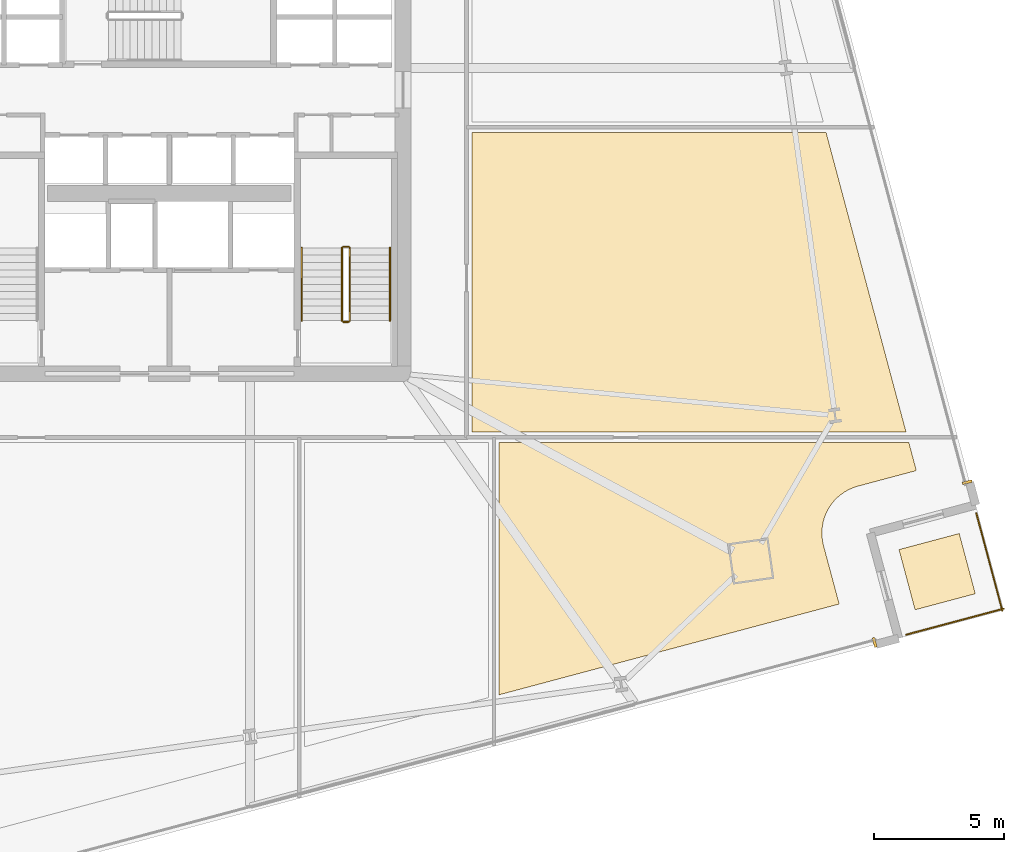
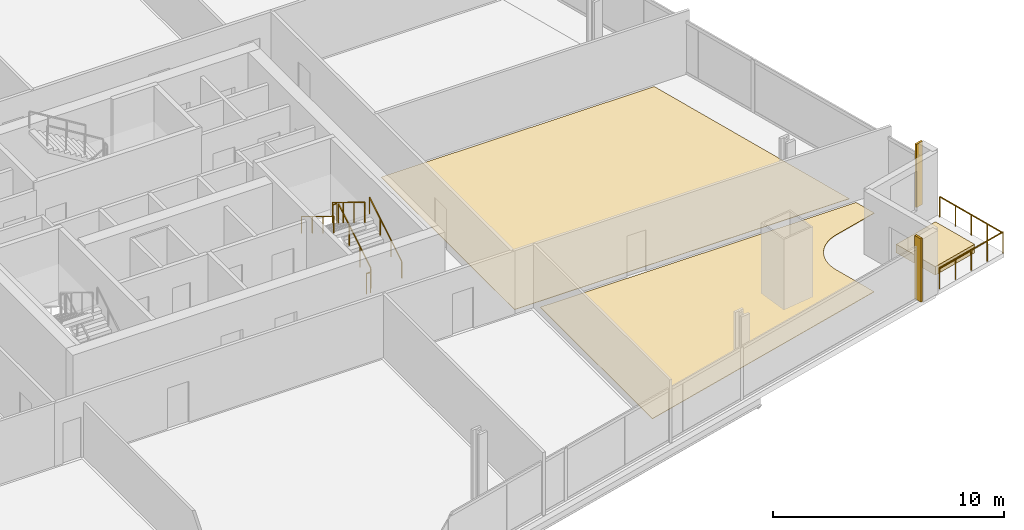
# One storey, part 31 of 33: 8 railings, 5 coverings.
"""IFC4 building model written with IfcOpenShell, lengths in metres."""

import ifcopenshell
import ifcopenshell.guid

model = None  # the IFC model being written
_history = None  # IfcOwnerHistory: only IFC2X3 demands one
_inside = {}  # id of a spatial element -> (the spatial element, [elements in it])
_under = {}  # id of a project, library or spatial element -> (it, [spatial elements below it])
_declared = {}  # id of a project -> (the project, [libraries it declares])
_typed = {}  # id of a type object -> (the type object, [elements of that type])
_made_of = {}  # id of a material, layer set ... -> (it, [elements and type objects made of it])


def new_model(schema):
    """Start an empty IFC model of exactly this schema.

    Asked for "IFC4X3", IfcOpenShell would pick the latest addendum, in which some entities
    have other attributes; the version numbers below select the first issue.
    IFC2X3 requires an IfcOwnerHistory on every rooted entity: one is made here for all.
    """
    global model, _history
    if schema == "IFC4X3":
        model = ifcopenshell.file(schema_version=(4, 3, 0, 0))
    else:
        model = ifcopenshell.file(schema=schema)
    _inside.clear()
    _under.clear()
    _declared.clear()
    _typed.clear()
    _made_of.clear()
    _history = None
    if model.schema == "IFC2X3":
        org = make("IfcOrganization", Name="unknown")
        user = make(
            "IfcPersonAndOrganization",
            ThePerson=make("IfcPerson", FamilyName="unknown"),
            TheOrganization=org,
        )
        app = make(
            "IfcApplication",
            ApplicationDeveloper=org,
            Version="unknown",
            ApplicationFullName="unknown",
            ApplicationIdentifier="unknown",
        )
        _history = make(
            "IfcOwnerHistory",
            OwningUser=user,
            OwningApplication=app,
            ChangeAction="ADDED",
            CreationDate=0,
        )
    return model


def make(cls, **values):
    """One entity of the class cls with the attributes given. An attribute that is None is left unset."""
    return model.create_entity(
        cls, **{name: value for name, value in values.items() if value is not None}
    )


def rooted(cls, **values):
    """An entity with a GlobalId (a new one), such as an element, a storey or a relation."""
    return make(cls, GlobalId=ifcopenshell.guid.new(), OwnerHistory=_history, **values)


def si_unit(unit_type, name, prefix=None):
    """IfcSIUnit, for example si_unit("LENGTHUNIT", "METRE", prefix="MILLI")."""
    return make("IfcSIUnit", UnitType=unit_type, Prefix=prefix, Name=name)


def assignment(units):
    """IfcUnitAssignment: the units of a project."""
    return None if units is None else make("IfcUnitAssignment", Units=units)


def point(xyz):
    """IfcCartesianPoint."""
    return None if xyz is None else make("IfcCartesianPoint", Coordinates=xyz)


def direction(xyz):
    """IfcDirection."""
    return None if xyz is None else make("IfcDirection", DirectionRatios=xyz)


def frame(location, z_axis=None, x_axis=None):
    """IfcAxis2Placement3D, a coordinate frame: its origin and axes. An axis left out is left unset."""
    return make(
        "IfcAxis2Placement3D",
        Location=point(location),
        Axis=direction(z_axis),
        RefDirection=direction(x_axis),
    )


def frame_2d(location, x_axis=None):
    """IfcAxis2Placement2D, a coordinate frame in the plane: its origin and x axis."""
    return make(
        "IfcAxis2Placement2D", Location=point(location), RefDirection=direction(x_axis)
    )


def origin():
    """The frame at (0, 0, 0) with its axes left unset."""
    return frame((0.0, 0.0, 0.0))


def origin_2d():
    """The frame at (0, 0) in the plane with its x axis left unset."""
    return frame_2d((0.0, 0.0))


def place(relative_to, where):
    """IfcLocalPlacement: puts the frame where relative to a parent placement (None: the world)."""
    return make(
        "IfcLocalPlacement", PlacementRelTo=relative_to, RelativePlacement=where
    )


def context(
    kind, dimensions, precision=None, world=None, true_north=None, identifier=None
):
    """IfcGeometricRepresentationContext, for example the 3D "Model" context."""
    return make(
        "IfcGeometricRepresentationContext",
        ContextIdentifier=identifier,
        ContextType=kind,
        CoordinateSpaceDimension=dimensions,
        Precision=precision,
        WorldCoordinateSystem=world,
        TrueNorth=true_north,
    )


def subcontext(parent, identifier, kind, view, scale=None):
    """IfcGeometricRepresentationSubContext, for example "Body" below "Model"."""
    return make(
        "IfcGeometricRepresentationSubContext",
        ContextIdentifier=identifier,
        ContextType=kind,
        ParentContext=parent,
        TargetScale=scale,
        TargetView=view,
    )


def project(units=None, contexts=None):
    """IfcProject with its units and contexts."""
    return rooted(
        "IfcProject",
        Name="project",
        RepresentationContexts=contexts,
        UnitsInContext=assignment(units),
    )


def spatial(cls, under=None, at=None, **own):
    """A site, building, storey or space (cls), placed at a placement, below another one or the project."""
    s = rooted(cls, ObjectPlacement=at, **own)
    if under is not None:
        _under.setdefault(under.id(), (under, []))[1].append(s)
    return s


def polyline(points):
    """IfcPolyline through the points."""
    return make("IfcPolyline", Points=[point(p) for p in points])


def profile(cls, at=None, kind="AREA", **sizes):
    """A parametric profile (cls). Its sizes go by their IFC names, for example OverallWidth=200.0."""
    return make(cls, ProfileType=kind, Position=at, **sizes)


def rectangle(**sizes):
    """IfcRectangleProfileDef."""
    return profile("IfcRectangleProfileDef", **sizes)


def outline(outer, holes=None, kind="AREA"):
    """IfcArbitraryClosedProfileDef: a profile drawn as a closed curve; with holes, ...WithVoids."""
    if holes is None:
        return make("IfcArbitraryClosedProfileDef", ProfileType=kind, OuterCurve=outer)
    return make(
        "IfcArbitraryProfileDefWithVoids",
        ProfileType=kind,
        OuterCurve=outer,
        InnerCurves=holes,
    )


def extrude(swept, where, along, depth):
    """IfcExtrudedAreaSolid: the profile swept, set in the frame where, extruded along a direction by depth."""
    return make(
        "IfcExtrudedAreaSolid",
        SweptArea=swept,
        Position=where,
        ExtrudedDirection=direction(along),
        Depth=depth,
    )


def shape(context_of_items, identifier, shape_type, items):
    """IfcShapeRepresentation: the items that make up one representation, for example the "Body"."""
    return make(
        "IfcShapeRepresentation",
        ContextOfItems=context_of_items,
        RepresentationIdentifier=identifier,
        RepresentationType=shape_type,
        Items=items,
    )


def source(mapping_origin, context_of_items, identifier, shape_type, items):
    """IfcRepresentationMap: a shape defined once, which mapped items show again and again."""
    return make(
        "IfcRepresentationMap",
        MappingOrigin=mapping_origin,
        MappedRepresentation=shape(context_of_items, identifier, shape_type, items),
    )


def transform(
    local_origin,
    x_axis=None,
    y_axis=None,
    z_axis=None,
    scale=None,
    scale2=None,
    scale3=None,
    uniform=True,
):
    """IfcCartesianTransformationOperator3D, or its non-uniform kind. x_axis, y_axis, z_axis: its Axis1, 2, 3."""
    if uniform:
        return make(
            "IfcCartesianTransformationOperator3D",
            Axis1=direction(x_axis),
            Axis2=direction(y_axis),
            LocalOrigin=point(local_origin),
            Scale=scale,
            Axis3=direction(z_axis),
        )
    return make(
        "IfcCartesianTransformationOperator3DnonUniform",
        Axis1=direction(x_axis),
        Axis2=direction(y_axis),
        LocalOrigin=point(local_origin),
        Scale=scale,
        Axis3=direction(z_axis),
        Scale2=scale2,
        Scale3=scale3,
    )


def mapped(mapping_source, mapping_target):
    """IfcMappedItem: shows the shape of a source again, moved by a transform."""
    return make(
        "IfcMappedItem", MappingSource=mapping_source, MappingTarget=mapping_target
    )


def material(Name=None, Category=None):
    """IfcMaterial."""
    return make("IfcMaterial", Name=Name, Category=Category)


def layer(
    of_material, thickness, ventilated=None, Name=None, Category=None, Priority=None
):
    """IfcMaterialLayer: one layer of a wall or slab, of a material (None: an air gap)."""
    return make(
        "IfcMaterialLayer",
        Material=of_material,
        LayerThickness=thickness,
        IsVentilated=ventilated,
        Name=Name,
        Category=Category,
        Priority=Priority,
    )


def layer_set(layers, Name=None):
    """IfcMaterialLayerSet."""
    return make("IfcMaterialLayerSet", MaterialLayers=layers, LayerSetName=Name)


def made_of(thing, what):
    """Note that an element or type object is made of a material, layer set ...; save() writes the relation."""
    if what is not None:
        _made_of.setdefault(what.id(), (what, []))[1].append(thing)
    return thing


def type_object(cls, material=None, **own):
    """A type object (cls), such as IfcWallType, which elements share."""
    return made_of(rooted(cls, **own), material)


def element(
    cls,
    number,
    at=None,
    inside=None,
    cuts=None,
    type_object=None,
    material=None,
    context=None,
    identifier="Body",
    shape_type=None,
    held_by="IfcProductDefinitionShape",
    body=None,
    shapes=None,
    **own,
):
    """One element of the class cls, such as IfcWall. Its Tag is "e" and its number.

    at: its placement. inside: the storey or other place that contains it. cuts: it is an
    opening in that element (IfcRelVoidsElement). A single representation is given by context,
    identifier, shape_type and body (its items); several are given by shapes. held_by: the class
    of the entity that holds the representations. save() writes the other relations.
    """
    e = rooted(cls, Tag="e%d" % number, ObjectPlacement=at, **own)
    if body is not None:
        shapes = [shape(context, identifier, shape_type, body)]
    if shapes is not None:
        e.Representation = make(held_by, Representations=shapes)
    if inside is not None:
        _inside.setdefault(inside.id(), (inside, []))[1].append(e)
    if cuts is not None:
        rooted(
            "IfcRelVoidsElement", RelatingBuildingElement=cuts, RelatedOpeningElement=e
        )
    if type_object is not None:
        _typed.setdefault(type_object.id(), (type_object, []))[1].append(e)
    return made_of(e, material)


def aggregate(whole, parts):
    """IfcRelAggregates: a whole, such as a stair, and the parts it consists of."""
    return rooted("IfcRelAggregates", RelatingObject=whole, RelatedObjects=parts)


def save(model, path):
    """Write the relations noted so far, then the file.

    IfcRelAggregates (storeys below a building ...), IfcRelContainedInSpatialStructure (elements
    in a storey), IfcRelDefinesByType, IfcRelAssociatesMaterial and IfcRelDeclares: one each for
    every whole, place, type object, material and project.
    """
    for whole, parts in _under.values():
        aggregate(whole, parts)
    for where, things in _inside.values():
        rooted(
            "IfcRelContainedInSpatialStructure",
            RelatedElements=things,
            RelatingStructure=where,
        )
    for kind, things in _typed.values():
        rooted("IfcRelDefinesByType", RelatedObjects=things, RelatingType=kind)
    for what, things in _made_of.values():
        rooted("IfcRelAssociatesMaterial", RelatedObjects=things, RelatingMaterial=what)
    for by, libraries in _declared.values():
        rooted("IfcRelDeclares", RelatingContext=by, RelatedDefinitions=libraries)
    model.write(path)


model = new_model("IFC4")

# Units and contexts
model_context = context("Model", 3, precision=1e-05, world=origin(), true_north=direction((0.0, 1.0)))
body_context = subcontext(model_context, "Body", "Model", "MODEL_VIEW")
ifc_project = project(units=[si_unit("LENGTHUNIT", "METRE"), si_unit("AREAUNIT", "SQUARE_METRE"), si_unit("VOLUMEUNIT", "CUBIC_METRE"), si_unit("PLANEANGLEUNIT", "RADIAN"), si_unit("MASSUNIT", "GRAM", prefix="KILO")], contexts=[model_context])

# Site, building, storey
site_placement = place(None, origin())
site = spatial("IfcSite", under=ifc_project, at=site_placement, CompositionType="ELEMENT")
building_placement = place(site_placement, origin())
building = spatial("IfcBuilding", under=site, at=building_placement, Name="Haldenkirk Collegiate Tower", CompositionType="ELEMENT")
storey_placement = place(building_placement, frame((0.0, 0.0, 77.699951171875)))
storey = spatial("IfcBuildingStorey", under=building, at=storey_placement, Name="L18", CompositionType="ELEMENT", Elevation=77.699951171875)

# Coverings
ifc_material_1 = material(Name="Polished collegiate terrazzo", Category="concrete")
ifc_layer_1 = layer(ifc_material_1, 0.02490234375)
ifc_layer_set_1 = layer_set([ifc_layer_1], Name="Polished collegiate terrazzo")
covering_type_1 = type_object("IfcCoveringType", Name="COV-FLOOR-TERRAZZO", PredefinedType="FLOORING", material=ifc_layer_set_1)
covering_1_placement = place(storey_placement, origin())
element("IfcCovering", 1, at=covering_1_placement, inside=storey, type_object=covering_type_1, Name="L18 academic room finish 04", PredefinedType="FLOORING", context=body_context, shape_type="SweptSolid", body=[
    extrude(outline(polyline([(64.779541015625, 14.2724609375), (62.5283203125, 13.67138671875), (62.522705078125, 13.669921875), (62.359375, 13.617431640625), (62.34814453125, 13.61328125), (62.190673828125, 13.544921875), (62.18017578125, 13.539794921875), (62.02978515625, 13.45654296875), (62.02001953125, 13.4501953125), (61.878662109375, 13.352783203125), (61.869384765625, 13.345703125), (61.73828125, 13.234619140625), (61.7294921875, 13.2265625), (61.610107421875, 13.103271484375), (61.602294921875, 13.094482421875), (61.495361328125, 12.9599609375), (61.488525390625, 12.950439453125), (61.395263671875, 12.80615234375), (61.389404296875, 12.7958984375), (61.310791015625, 12.643310546875), (61.305908203125, 12.632568359375), (61.24267578125, 12.472900390625), (61.239013671875, 12.461669921875), (61.191650390625, 12.296630859375), (61.18896484375, 12.28515625), (61.158203125, 12.1162109375), (61.156494140625, 12.1044921875), (61.142333984375, 11.933349609375), (61.141845703125, 11.921630859375), (61.14453125, 11.75), (61.145263671875, 11.73828125), (61.164794921875, 11.5673828125), (61.166748046875, 11.555908203125), (61.202880859375, 11.387939453125), (61.2041015625, 11.382080078125), (61.805419921875, 9.131103515625), (48.699951171875, 5.6318359375), (48.699951171875, 15.35009765625), (64.49169921875, 15.35009765625), (64.779541015625, 14.2724609375)])), origin(), (0.0, 0.0, 1.0), 0.025146484375),
])
ifc_material_2 = material(Name="Engineered collegiate oak acoustic flooring", Category="wood")
ifc_layer_2 = layer(ifc_material_2, 0.02197265625)
ifc_layer_set_2 = layer_set([ifc_layer_2], Name="Engineered collegiate oak acoustic flooring")
covering_type_2 = type_object("IfcCoveringType", Name="COV-FLOOR-TIMBER", PredefinedType="FLOORING", material=ifc_layer_set_2)
covering_2_placement = place(storey_placement, origin())
element("IfcCovering", 2, at=covering_2_placement, inside=storey, type_object=covering_type_2, Name="L18 academic room finish 11", PredefinedType="FLOORING", context=body_context, shape_type="SweptSolid", body=[
    extrude(outline(polyline([(64.385009765625, 15.75), (47.64990234375, 15.75), (47.64990234375, 27.300048828125), (61.301025390625, 27.300048828125), (64.385009765625, 15.75)])), origin(), (0.0, 0.0, 1.0), 0.02197265625),
])
ifc_material_3 = material(Name="Precast concrete f'c 40 MPa", Category="concrete")
ifc_layer_3 = layer(ifc_material_3, 0.449951171875)
ifc_layer_set_3 = layer_set([ifc_layer_3], Name="Precast concrete f'c 40 MPa")
covering_type_3 = type_object("IfcCoveringType", Name="COV-PLANTER-450", PredefinedType="USERDEFINED", material=ifc_layer_set_3)
covering_3_placement = place(storey_placement, origin())
element("IfcCovering", 3, at=covering_3_placement, inside=storey, type_object=covering_type_3, Name="L18 planted garden planter bed", ObjectType="PLANTER", PredefinedType="USERDEFINED", context=body_context, shape_type="SweptSolid", body=[
    extrude(outline(polyline([(64.731689453125, 8.90869140625), (64.112548828125, 11.227294921875), (66.431396484375, 11.846435546875), (67.050537109375, 9.52783203125), (64.731689453125, 8.90869140625)])), origin(), (0.0, 0.0, 1.0), 0.449951171875),
])

# Railings
ifc_material_4 = material(Name="Painted architectural tubular steel", Category="steel")
railing_type_1 = type_object("IfcRailingType", Name="RLG-STAIR-GUARD-1100", PredefinedType="BALUSTRADE", material=ifc_material_4)
railing_1_placement = place(storey_placement, frame((42.949951171875, 20.050048828125, 0.17041015625)))
element("IfcRailing", 4, at=railing_1_placement, inside=storey, type_object=railing_type_1, Name="L18 ST-2 stair guard 1", PredefinedType="BALUSTRADE", context=body_context, shape_type="SweptSolid", body=[
    extrude(rectangle(XDim=0.048095703125, YDim=0.048095703125, at=origin_2d()), frame((0.0, 0.0, 1.076171875), z_axis=(0.0, 0.854169791009, 0.51999420009), x_axis=(-1.0, 0.0, 0.0)), (0.0, 0.0, 1.0), 3.278076171875),
    extrude(rectangle(XDim=0.0419921875, YDim=0.0419921875, at=origin_2d()), origin(), (0.0, 0.0, 1.0), 1.052001953125),
    extrude(rectangle(XDim=0.0419921875, YDim=0.0419921875, at=origin_2d()), frame((0.0, 0.933349609375, 0.568115234375)), (0.0, 0.0, 1.0), 1.052001953125),
    extrude(rectangle(XDim=0.0419921875, YDim=0.0419921875, at=origin_2d()), frame((0.0, 1.86669921875, 1.136474609375)), (0.0, 0.0, 1.0), 1.052001953125),
    extrude(rectangle(XDim=0.0419921875, YDim=0.0419921875, at=origin_2d()), frame((0.0, 2.800048828125, 1.70458984375)), (0.0, 0.0, 1.0), 1.052001953125),
])
railing_2_placement = place(storey_placement, frame((42.89990234375, 22.89990234375, 1.875)))
element("IfcRailing", 5, at=railing_2_placement, inside=storey, type_object=railing_type_1, Name="L18 ST-2 stair guard 2", PredefinedType="BALUSTRADE", context=body_context, shape_type="SweptSolid", body=[
    extrude(rectangle(XDim=0.048095703125, YDim=0.048095703125, at=origin_2d()), frame((0.0, 0.0, 1.076171875), z_axis=(-1.0, 0.0, 0.0), x_axis=(0.0, -1.0, 0.0)), (0.0, 0.0, 1.0), 0.199951171875),
    extrude(rectangle(XDim=0.0419921875, YDim=0.0419921875, at=origin_2d()), origin(), (0.0, 0.0, 1.0), 1.052001953125),
    extrude(rectangle(XDim=0.0419921875, YDim=0.0419921875, at=origin_2d()), frame((-0.199951171875, 0.0, 0.0)), (0.0, 0.0, 1.0), 1.052001953125),
])
railing_3_placement = place(storey_placement, frame((42.64990234375, 22.85009765625, 2.04541015625)))
element("IfcRailing", 6, at=railing_3_placement, inside=storey, type_object=railing_type_1, Name="L18 ST-2 stair guard 3", PredefinedType="BALUSTRADE", context=body_context, shape_type="SweptSolid", body=[
    extrude(rectangle(XDim=0.048095703125, YDim=0.048095703125, at=origin_2d()), frame((0.0, 0.0, 1.076171875), z_axis=(0.0, -0.854169791009, 0.51999420009), x_axis=(1.0, 0.0, 0.0)), (0.0, 0.0, 1.0), 3.278076171875),
    extrude(rectangle(XDim=0.0419921875, YDim=0.0419921875, at=origin_2d()), origin(), (0.0, 0.0, 1.0), 1.052001953125),
    extrude(rectangle(XDim=0.0419921875, YDim=0.0419921875, at=origin_2d()), frame((0.0, -0.933349609375, 0.568115234375)), (0.0, 0.0, 1.0), 1.052001953125),
    extrude(rectangle(XDim=0.0419921875, YDim=0.0419921875, at=origin_2d()), frame((0.0, -1.86669921875, 1.136474609375)), (0.0, 0.0, 1.0), 1.052001953125),
    extrude(rectangle(XDim=0.0419921875, YDim=0.0419921875, at=origin_2d()), frame((0.0, -2.800048828125, 1.70458984375)), (0.0, 0.0, 1.0), 1.052001953125),
])
railing_4_placement = place(storey_placement, frame((42.89990234375, 20.0, 0.0)))
element("IfcRailing", 7, at=railing_4_placement, inside=storey, type_object=railing_type_1, Name="L18 ST-2 stair guard 4", PredefinedType="BALUSTRADE", context=body_context, shape_type="SweptSolid", body=[
    extrude(rectangle(XDim=0.048095703125, YDim=0.048095703125, at=origin_2d()), frame((0.0, 0.0, 1.076171875), z_axis=(-1.0, 0.0, 0.0), x_axis=(0.0, -1.0, 0.0)), (0.0, 0.0, 1.0), 0.199951171875),
    extrude(rectangle(XDim=0.0419921875, YDim=0.0419921875, at=origin_2d()), origin(), (0.0, 0.0, 1.0), 1.052001953125),
    extrude(rectangle(XDim=0.0419921875, YDim=0.0419921875, at=origin_2d()), frame((-0.199951171875, 0.0, 0.0)), (0.0, 0.0, 1.0), 1.052001953125),
])
railing_type_2 = type_object("IfcRailingType", Name="RLG-STAIR-HANDRAIL-900", PredefinedType="HANDRAIL", material=ifc_material_4)
railing_5_placement = place(storey_placement, frame((44.5, 20.050048828125, 0.17041015625)))
element("IfcRailing", 8, at=railing_5_placement, inside=storey, type_object=railing_type_2, Name="L18 ST-2 stair handrail 1", PredefinedType="HANDRAIL", context=body_context, shape_type="SweptSolid", body=[
    extrude(rectangle(XDim=0.048095703125, YDim=0.048095703125, at=origin_2d()), frame((0.0, 0.0, 0.8759765625), z_axis=(0.0, 0.854169791009, 0.51999420009), x_axis=(-1.0, 0.0, 0.0)), (0.0, 0.0, 1.0), 3.278076171875),
    extrude(rectangle(XDim=0.0419921875, YDim=0.0419921875, at=origin_2d()), origin(), (0.0, 0.0, 1.0), 0.851806640625),
    extrude(rectangle(XDim=0.0419921875, YDim=0.0419921875, at=origin_2d()), frame((0.0, 0.933349609375, 0.568115234375)), (0.0, 0.0, 1.0), 0.851806640625),
    extrude(rectangle(XDim=0.0419921875, YDim=0.0419921875, at=origin_2d()), frame((0.0, 1.86669921875, 1.136474609375)), (0.0, 0.0, 1.0), 0.851806640625),
    extrude(rectangle(XDim=0.0419921875, YDim=0.0419921875, at=origin_2d()), frame((0.0, 2.800048828125, 1.70458984375)), (0.0, 0.0, 1.0), 0.851806640625),
])
railing_6_placement = place(storey_placement, frame((41.10009765625, 22.85009765625, 2.04541015625)))
element("IfcRailing", 9, at=railing_6_placement, inside=storey, type_object=railing_type_2, Name="L18 ST-2 stair handrail 2", PredefinedType="HANDRAIL", context=body_context, shape_type="SweptSolid", body=[
    extrude(rectangle(XDim=0.048095703125, YDim=0.048095703125, at=origin_2d()), frame((0.0, 0.0, 0.8759765625), z_axis=(0.0, -0.854169791009, 0.51999420009), x_axis=(1.0, 0.0, 0.0)), (0.0, 0.0, 1.0), 3.278076171875),
    extrude(rectangle(XDim=0.0419921875, YDim=0.0419921875, at=origin_2d()), origin(), (0.0, 0.0, 1.0), 0.851806640625),
    extrude(rectangle(XDim=0.0419921875, YDim=0.0419921875, at=origin_2d()), frame((0.0, -0.933349609375, 0.568115234375)), (0.0, 0.0, 1.0), 0.851806640625),
    extrude(rectangle(XDim=0.0419921875, YDim=0.0419921875, at=origin_2d()), frame((0.0, -1.86669921875, 1.136474609375)), (0.0, 0.0, 1.0), 0.851806640625),
    extrude(rectangle(XDim=0.0419921875, YDim=0.0419921875, at=origin_2d()), frame((0.0, -2.800048828125, 1.70458984375)), (0.0, 0.0, 1.0), 0.851806640625),
])
ifc_material_5 = material(Name="Anodised architectural bronze aluminium", Category="aluminium")
railing_type_3 = type_object("IfcRailingType", Name="RLG-TERR-BALUSTRADE-1100", PredefinedType="BALUSTRADE", material=ifc_material_5)
railing_7_placement = place(storey_placement, frame((64.38818359375, 7.947509765625, 0.0)))
element("IfcRailing", 10, at=railing_7_placement, inside=storey, type_object=railing_type_3, Name="L18 terrace guard balustrade 1-1", PredefinedType="BALUSTRADE", context=body_context, shape_type="SweptSolid", body=[
    extrude(rectangle(XDim=0.048095703125, YDim=0.048095703125, at=origin_2d()), frame((0.0, 0.0, 1.076171875), z_axis=(0.966147154433, 0.25799161998, 0.0), x_axis=(-0.25799161998, 0.966147154433, 0.0)), (0.0, 0.0, 1.0), 3.8798828125),
    extrude(rectangle(XDim=0.0419921875, YDim=0.0419921875, at=origin_2d()), origin(), (0.0, 0.0, 1.0), 1.052001953125),
    extrude(rectangle(XDim=0.0419921875, YDim=0.0419921875, at=origin_2d()), frame((0.93701171875, 0.250244140625, 0.0)), (0.0, 0.0, 1.0), 1.052001953125),
    extrude(rectangle(XDim=0.0419921875, YDim=0.0419921875, at=origin_2d()), frame((1.874267578125, 0.50048828125, 0.0)), (0.0, 0.0, 1.0), 1.052001953125),
    extrude(rectangle(XDim=0.0419921875, YDim=0.0419921875, at=origin_2d()), frame((2.8115234375, 0.750732421875, 0.0)), (0.0, 0.0, 1.0), 1.052001953125),
    extrude(rectangle(XDim=0.0419921875, YDim=0.0419921875, at=origin_2d()), frame((3.74853515625, 1.0009765625, 0.0)), (0.0, 0.0, 1.0), 1.052001953125),
])
railing_8_placement = place(storey_placement, frame((68.09423828125, 8.875, 0.0)))
element("IfcRailing", 11, at=railing_8_placement, inside=storey, type_object=railing_type_3, Name="L18 terrace guard balustrade 2-1", PredefinedType="BALUSTRADE", context=body_context, shape_type="SweptSolid", body=[
    extrude(rectangle(XDim=0.048095703125, YDim=0.048095703125, at=origin_2d()), frame((0.0, 0.0, 1.076171875), z_axis=(-0.25799161998, 0.966147154433, 0.0), x_axis=(-0.966147154433, -0.25799161998, 0.0)), (0.0, 0.0, 1.0), 3.8798828125),
    extrude(rectangle(XDim=0.0419921875, YDim=0.0419921875, at=origin_2d()), origin(), (0.0, 0.0, 1.0), 1.052001953125),
    extrude(rectangle(XDim=0.0419921875, YDim=0.0419921875, at=origin_2d()), frame((-0.250244140625, 0.93701171875, 0.0)), (0.0, 0.0, 1.0), 1.052001953125),
    extrude(rectangle(XDim=0.0419921875, YDim=0.0419921875, at=origin_2d()), frame((-0.50048828125, 1.874267578125, 0.0)), (0.0, 0.0, 1.0), 1.052001953125),
    extrude(rectangle(XDim=0.0419921875, YDim=0.0419921875, at=origin_2d()), frame((-0.750732421875, 2.8115234375, 0.0)), (0.0, 0.0, 1.0), 1.052001953125),
    extrude(rectangle(XDim=0.0419921875, YDim=0.0419921875, at=origin_2d()), frame((-1.0009765625, 3.74853515625, 0.0)), (0.0, 0.0, 1.0), 1.052001953125),
])

# Coverings
ifc_layer_4 = layer(ifc_material_5, 0.06005859375)
ifc_layer_set_4 = layer_set([ifc_layer_4], Name="Anodised architectural bronze aluminium")
covering_type_4 = type_object("IfcCoveringType", Name="COV-CLAD-BRONZE-60", PredefinedType="CLADDING", material=ifc_layer_set_4)
shared_shape = source(origin(), body_context, "Body", "SweptSolid", [
    extrude(rectangle(XDim=0.10009765625, YDim=0.3798828125, at=origin_2d()), origin(), (0.0, 0.0, 1.0), 3.340087890625),
])
for number, where, z_axis, x_axis, name in (
    (12, (63.172607421875, 7.65380859375, 0.0), (0.0, 0.0, 1.0), (-0.966151320688, -0.257976017359, 0.0), "L18 recessed curtain-wall bronze jamb closure SJL"),
    (13, (66.74169921875, 13.823486328125, 0.0), (0.0, 0.0, 1.0), (0.257976017359, -0.966151320688, 0.0), "L18 recessed curtain-wall bronze jamb closure EJR"),
):
    element("IfcCovering", number, at=place(storey_placement, frame(where, z_axis=z_axis, x_axis=x_axis)), inside=storey, type_object=covering_type_4, Name=name, PredefinedType="CLADDING", context=body_context, shape_type="MappedRepresentation", body=[
        mapped(shared_shape, transform((0.0, 0.0, 0.0), x_axis=(1.0, 0.0, 0.0), y_axis=(0.0, 1.0, 0.0), z_axis=(0.0, 0.0, 1.0), scale=1.0)),
    ])

save(model, "model.ifc")
